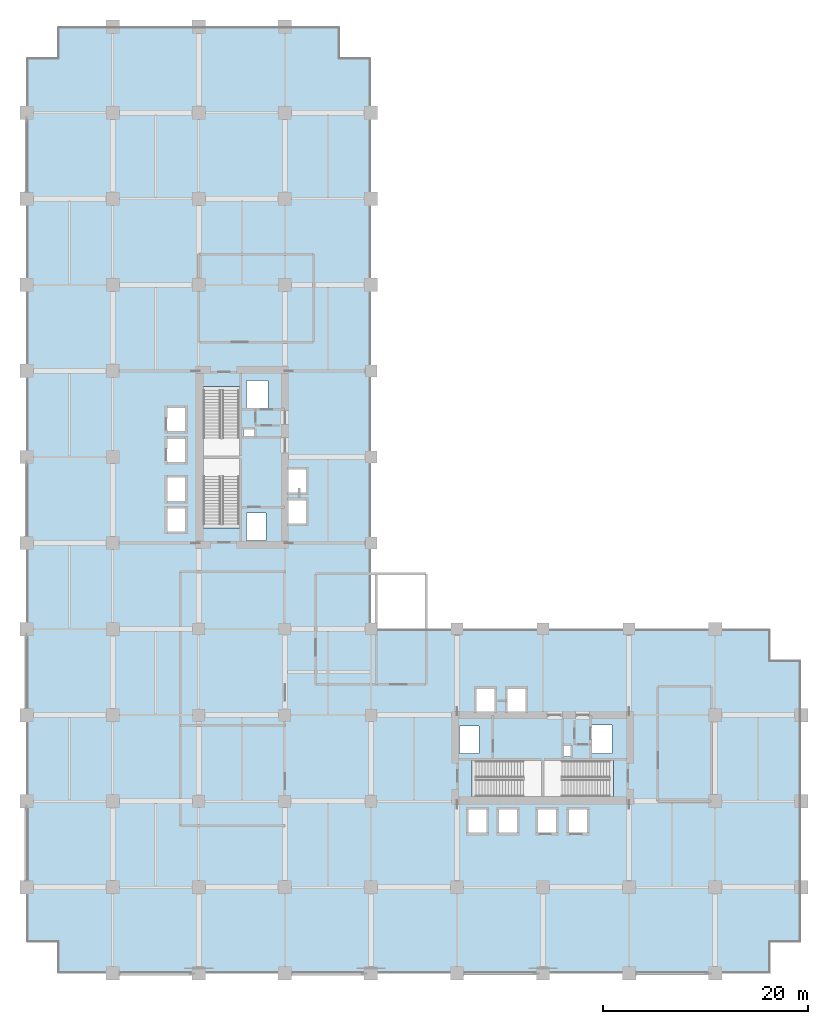
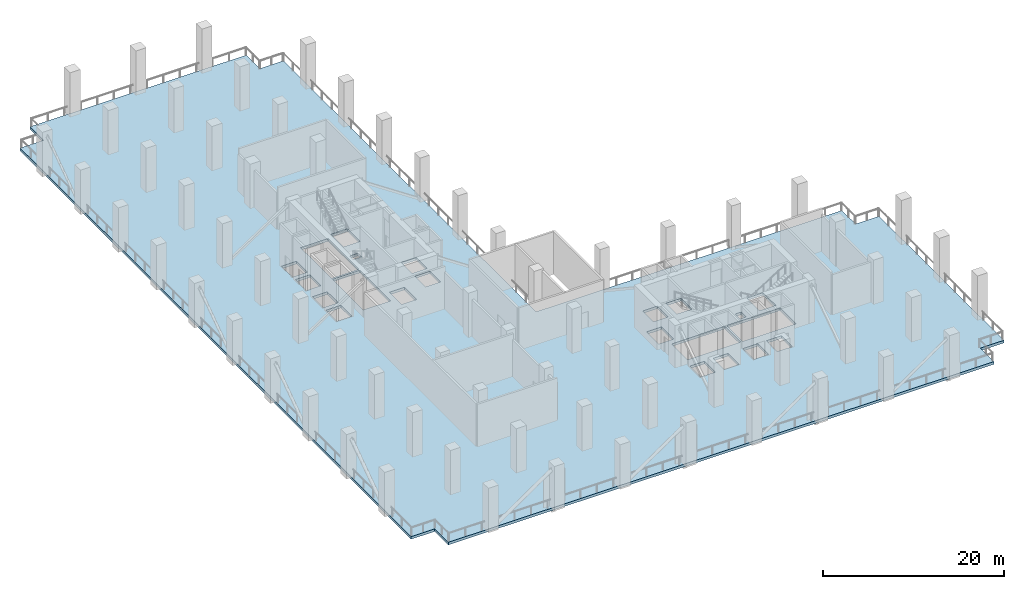
# One storey, part 5 of 19: 1 slab.
"""IFC4 building model written with IfcOpenShell, lengths in metres."""

from ifc_helpers import new_model, si_unit, direction, frame, origin, place, context, subcontext, project, spatial, polyline, outline, extrude, material, layer, layer_set, type_object, element, save


model = new_model("IFC4")

# Units and contexts
model_context = context("Model", 3, precision=1e-05, world=origin(), true_north=direction((0.0, 1.0)))
body_context = subcontext(model_context, "Body", "Model", "MODEL_VIEW")
ifc_project = project(units=[si_unit("LENGTHUNIT", "METRE"), si_unit("AREAUNIT", "SQUARE_METRE"), si_unit("VOLUMEUNIT", "CUBIC_METRE"), si_unit("PLANEANGLEUNIT", "RADIAN"), si_unit("MASSUNIT", "GRAM", prefix="KILO")], contexts=[model_context])

# Site, building, storey
site_placement = place(None, origin())
site = spatial("IfcSite", under=ifc_project, at=site_placement, CompositionType="ELEMENT")
building_placement = place(site_placement, origin())
building = spatial("IfcBuilding", under=site, at=building_placement, Name="Koriwani Terraces Tower", CompositionType="ELEMENT")
storey_placement = place(building_placement, frame((0.0, 0.0, 94.0)))
storey = spatial("IfcBuildingStorey", under=building, at=storey_placement, Name="L22", CompositionType="ELEMENT", Elevation=94.0)

# Slab
ifc_material = material(Name="Concrete C50/60", Category="concrete")
ifc_layer = layer(ifc_material, 0.35009765625, Name="Concrete C50/60")
ifc_layer_set = layer_set([ifc_layer], Name="Concrete C50/60")
slab_type = type_object("IfcSlabType", Name="SLAB_PODIUM_350", PredefinedType="FLOOR", material=ifc_layer_set)
slab_placement = place(storey_placement, frame((0.0, 0.0, -0.35009765625)))
element("IfcSlab", 1, at=slab_placement, inside=storey, type_object=slab_type, Name="L22 Structural Floor Slab", PredefinedType="FLOOR", context=body_context, shape_type="SweptSolid", body=[
    extrude(outline(polyline([(3.0, 0.0), (72.60009765625, 0.0), (72.60009765625, 3.0), (75.60009765625, 3.0), (75.60009765625, 30.60009765625), (72.60009765625, 30.60009765625), (72.60009765625, 33.60009765625), (33.60009765625, 33.60009765625), (33.60009765625, 89.39990234375), (30.60009765625, 89.39990234375), (30.60009765625, 92.39990234375), (3.0, 92.39990234375), (3.0, 89.39990234375), (0.0, 89.39990234375), (0.0, 3.0), (3.0, 3.0), (3.0, 0.0)]), holes=[polyline([(17.25, 43.4599609375), (20.75, 43.4599609375), (20.75, 50.25), (17.25, 50.25), (17.25, 43.4599609375)]), polyline([(17.25, 50.5), (20.75, 50.5), (20.75, 57.2900390625), (17.25, 57.2900390625), (17.25, 50.5)]), polyline([(43.4599609375, 17.25), (50.25, 17.25), (50.25, 20.75), (43.4599609375, 20.75), (43.4599609375, 17.25)]), polyline([(50.5, 17.25), (57.2900390625, 17.25), (57.2900390625, 20.75), (50.5, 20.75), (50.5, 17.25)]), polyline([(13.64990234375, 43.050048828125), (15.550048828125, 43.050048828125), (15.550048828125, 45.449951171875), (13.64990234375, 45.449951171875), (13.64990234375, 43.050048828125)]), polyline([(13.64990234375, 46.050048828125), (15.550048828125, 46.050048828125), (15.550048828125, 48.449951171875), (13.64990234375, 48.449951171875), (13.64990234375, 46.050048828125)]), polyline([(43.050048828125, 13.64990234375), (44.949951171875, 13.64990234375), (44.949951171875, 16.050048828125), (43.050048828125, 16.050048828125), (43.050048828125, 13.64990234375)]), polyline([(46.050048828125, 13.64990234375), (47.949951171875, 13.64990234375), (47.949951171875, 16.050048828125), (46.050048828125, 16.050048828125), (46.050048828125, 13.64990234375)]), polyline([(13.64990234375, 49.85009765625), (15.550048828125, 49.85009765625), (15.550048828125, 52.25), (13.64990234375, 52.25), (13.64990234375, 49.85009765625)]), polyline([(13.64990234375, 52.85009765625), (15.550048828125, 52.85009765625), (15.550048828125, 55.25), (13.64990234375, 55.25), (13.64990234375, 52.85009765625)]), polyline([(49.85009765625, 13.64990234375), (51.75, 13.64990234375), (51.75, 16.050048828125), (49.85009765625, 16.050048828125), (49.85009765625, 13.64990234375)]), polyline([(52.85009765625, 13.64990234375), (54.75, 13.64990234375), (54.75, 16.050048828125), (52.85009765625, 16.050048828125), (52.85009765625, 13.64990234375)]), polyline([(25.449951171875, 43.85009765625), (27.35009765625, 43.85009765625), (27.35009765625, 46.25), (25.449951171875, 46.25), (25.449951171875, 43.85009765625)]), polyline([(25.449951171875, 46.85009765625), (27.35009765625, 46.85009765625), (27.35009765625, 49.25), (25.449951171875, 49.25), (25.449951171875, 46.85009765625)]), polyline([(43.85009765625, 25.449951171875), (45.75, 25.449951171875), (45.75, 27.85009765625), (43.85009765625, 27.85009765625), (43.85009765625, 25.449951171875)]), polyline([(46.85009765625, 25.449951171875), (48.75, 25.449951171875), (48.75, 27.85009765625), (46.85009765625, 27.85009765625), (46.85009765625, 25.449951171875)]), polyline([(21.449951171875, 55.050048828125), (23.550048828125, 55.050048828125), (23.550048828125, 57.85009765625), (21.449951171875, 57.85009765625), (21.449951171875, 55.050048828125)]), polyline([(55.050048828125, 21.449951171875), (57.14990234375, 21.449951171875), (57.14990234375, 24.25), (55.050048828125, 24.25), (55.050048828125, 21.449951171875)]), polyline([(21.449951171875, 42.25), (23.35009765625, 42.25), (23.35009765625, 44.949951171875), (21.449951171875, 44.949951171875), (21.449951171875, 42.25)]), polyline([(42.25, 21.449951171875), (44.14990234375, 21.449951171875), (44.14990234375, 24.14990234375), (42.25, 24.14990234375), (42.25, 21.449951171875)]), polyline([(21.14990234375, 52.419921875), (22.219970703125, 52.419921875), (22.219970703125, 53.179931640625), (21.14990234375, 53.179931640625), (21.14990234375, 52.419921875)]), polyline([(52.419921875, 21.14990234375), (53.179931640625, 21.14990234375), (53.179931640625, 22.219970703125), (52.419921875, 22.219970703125), (52.419921875, 21.14990234375)])]), origin(), (0.0, 0.0, 1.0), 0.35009765625),
])

save(model, "model.ifc")
